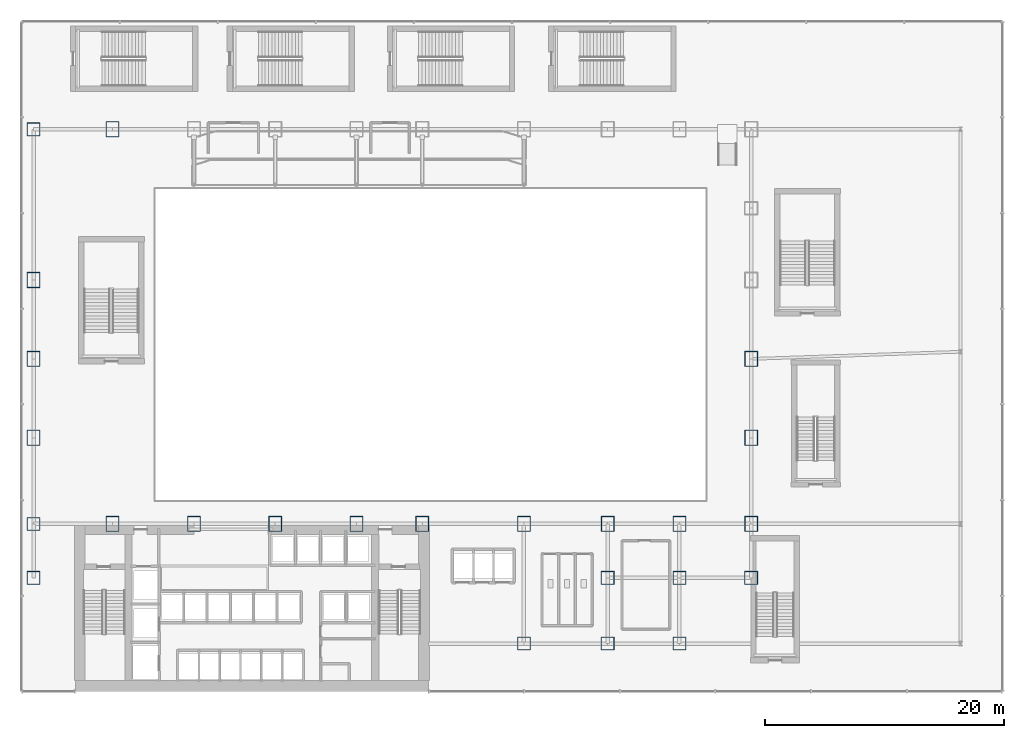
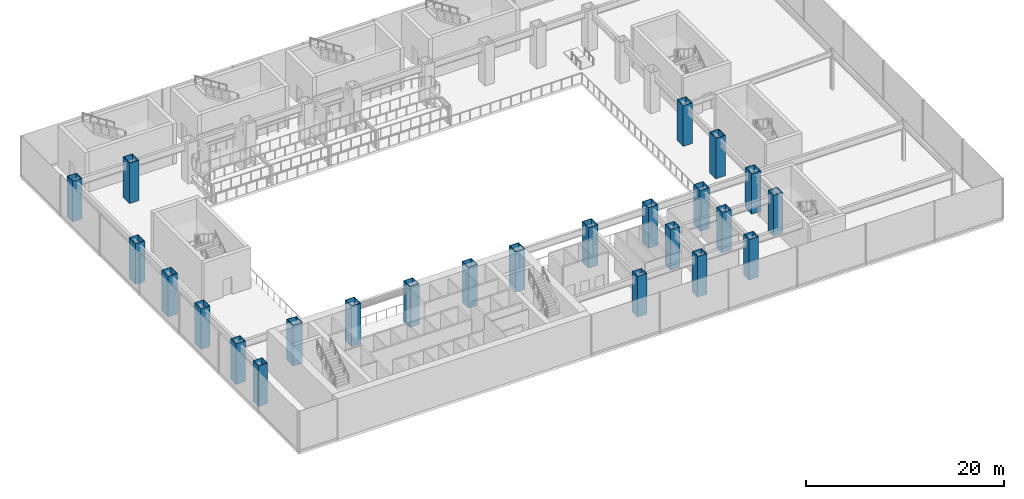
# One storey, part 1 of 39: 24 columns.
"""IFC4 building model written with IfcOpenShell, lengths in metres."""

from ifc_helpers import new_model, si_unit, derived_unit, direction, frame, origin, origin_2d, place, context, subcontext, project, spatial, hollow_rectangle, extrude, source, transform, mapped, material, material_profile, profile_set, type_object, element, save


model = new_model("IFC4")

# Units and contexts
model_context = context("Model", 3, precision=1e-05, world=origin(), true_north=direction((0.0, 1.0)))
body_context = subcontext(model_context, "Body", "Model", "MODEL_VIEW")
ifc_project = project(units=[si_unit("LENGTHUNIT", "METRE"), si_unit("AREAUNIT", "SQUARE_METRE"), si_unit("VOLUMEUNIT", "CUBIC_METRE"), si_unit("PLANEANGLEUNIT", "RADIAN"), si_unit("MASSUNIT", "GRAM", prefix="KILO"), derived_unit("THERMALTRANSMITTANCEUNIT", [(si_unit("POWERUNIT", "WATT"), 1), (si_unit("LENGTHUNIT", "METRE"), -2), (si_unit("THERMODYNAMICTEMPERATUREUNIT", "KELVIN"), -1)])], contexts=[model_context])

# Site, building, storey
site_placement = place(None, origin())
site = spatial("IfcSite", under=ifc_project, at=site_placement, CompositionType="ELEMENT")
building_placement = place(site_placement, origin())
building = spatial("IfcBuilding", under=site, at=building_placement, Name="Skarnbrae Concourse Arena and Tower", CompositionType="ELEMENT")
storey_placement = place(building_placement, frame((0.0, 0.0, 16.0)))
storey = spatial("IfcBuildingStorey", under=building, at=storey_placement, Name="L03", CompositionType="ELEMENT", Elevation=16.0)

# Columns
ifc_material = material(Name="Steel CSA G40.21 350W", Category="steel")
ifc_material_profile_1 = material_profile(ifc_material, hollow_rectangle(XDim=1.10009765625, YDim=1.10009765625, WallThickness=0.050048828125, at=origin_2d()), Name="BOX1100X1100X50")
ifc_profile_set_1 = profile_set([ifc_material_profile_1], Name="Steel CSA G40.21 350W")
column_type_1 = type_object("IfcColumnType", Name="COL-MEGA-BOX1100", PredefinedType="PILASTER", material=ifc_profile_set_1)
shared_shape_1 = source(origin(), body_context, "Body", "SweptSolid", [
    extrude(hollow_rectangle(XDim=1.10009765625, YDim=1.10009765625, WallThickness=0.050048828125, at=origin_2d()), origin(), (0.0, 0.0, 1.0), 5.0),
])
for number, where, z_axis, x_axis, name in (
    (1, (1.0, 9.5, 0.0), (0.0, 0.0, 1.0), (1.0, 0.0, 0.0), "L03 Podium mega-column MC-W0"),
    (2, (1.0, 14.0, 0.0), (0.0, 0.0, 1.0), (1.0, 0.0, 0.0), "L03 Podium mega-column MC-W1"),
    (3, (1.0, 47.0, 0.0), (0.0, 0.0, 1.0), (1.0, 0.0, 0.0), "L03 Podium mega-column MC-W6"),
    (4, (61.0, 9.5, 0.0), (0.0, 0.0, 1.0), (1.0, 0.0, 0.0), "L03 Podium mega-column MC-E0"),
    (5, (49.0, 9.5, 0.0), (0.0, 0.0, 1.0), (1.0, 0.0, 0.0), "L03 Podium mega-column PC-SE8"),
    (6, (55.0, 9.5, 0.0), (0.0, 0.0, 1.0), (1.0, 0.0, 0.0), "L03 Podium mega-column PC-SE9"),
    (7, (42.0, 4.0, 0.0), (0.0, 0.0, 1.0), (1.0, 0.0, 0.0), "L03 Podium mega-column PC-7B"),
    (8, (49.0, 4.0, 0.0), (0.0, 0.0, 1.0), (1.0, 0.0, 0.0), "L03 Podium mega-column PC-8B"),
    (9, (55.0, 4.0, 0.0), (0.0, 0.0, 1.0), (1.0, 0.0, 0.0), "L03 Podium mega-column PC-9B"),
):
    element("IfcColumn", number, at=place(storey_placement, frame(where, z_axis=z_axis, x_axis=x_axis)), inside=storey, type_object=column_type_1, Name=name, PredefinedType="PILASTER", context=body_context, shape_type="MappedRepresentation", body=[
        mapped(shared_shape_1, transform((0.0, 0.0, 0.0))),
    ])
ifc_material_profile_2 = material_profile(ifc_material, hollow_rectangle(XDim=1.10009765625, YDim=1.300048828125, WallThickness=0.054931640625, at=origin_2d()), Name="BOX1300X1100X55")
ifc_profile_set_2 = profile_set([ifc_material_profile_2], Name="Steel CSA G40.21 350W")
column_type_2 = type_object("IfcColumnType", Name="COL-MEGA-BOX1300", PredefinedType="PILASTER", material=ifc_profile_set_2)
shared_shape_2 = source(origin(), body_context, "Body", "SweptSolid", [
    extrude(hollow_rectangle(XDim=1.10009765625, YDim=1.300048828125, WallThickness=0.054931640625, at=origin_2d()), origin(), (0.0, 0.0, 1.0), 5.0),
])
for number, where, z_axis, x_axis, name in (
    (10, (1.0, 21.199951171875, 0.0), (0.0, 0.0, 1.0), (1.0, 0.0, 0.0), "L03 Podium mega-column MC-W2"),
    (11, (1.0, 27.800048828125, 0.0), (0.0, 0.0, 1.0), (1.0, 0.0, 0.0), "L03 Podium mega-column MC-W3"),
    (12, (1.0, 34.39990234375, 0.0), (0.0, 0.0, 1.0), (1.0, 0.0, 0.0), "L03 Podium mega-column MC-W4"),
    (13, (7.60009765625, 14.0, 0.0), (0.0, 0.0, 1.0), (1.0, 0.0, 0.0), "L03 Podium mega-column MC-S2"),
    (14, (14.39990234375, 14.0, 0.0), (0.0, 0.0, 1.0), (1.0, 0.0, 0.0), "L03 Podium mega-column MC-S3"),
    (15, (21.199951171875, 14.0, 0.0), (0.0, 0.0, 1.0), (1.0, 0.0, 0.0), "L03 Podium mega-column MC-S4"),
    (16, (28.0, 14.0, 0.0), (0.0, 0.0, 1.0), (1.0, 0.0, 0.0), "L03 Podium mega-column MC-S5"),
    (17, (33.5, 14.0, 0.0), (0.0, 0.0, 1.0), (1.0, 0.0, 0.0), "L03 Podium mega-column MC-S6"),
    (18, (42.0, 14.0, 0.0), (0.0, 0.0, 1.0), (1.0, 0.0, 0.0), "L03 Podium mega-column MC-S7"),
    (19, (49.0, 14.0, 0.0), (0.0, 0.0, 1.0), (1.0, 0.0, 0.0), "L03 Podium mega-column MC-S8"),
    (20, (55.0, 14.0, 0.0), (0.0, 0.0, 1.0), (1.0, 0.0, 0.0), "L03 Podium mega-column MC-S9"),
    (21, (61.0, 14.0, 0.0), (0.0, 0.0, 1.0), (1.0, 0.0, 0.0), "L03 Podium mega-column MC-S10"),
    (22, (7.60009765625, 47.0, 0.0), (0.0, 0.0, 1.0), (1.0, 0.0, 0.0), "L03 Podium mega-column MC-N2"),
    (23, (61.0, 21.199951171875, 0.0), (0.0, 0.0, 1.0), (1.0, 0.0, 0.0), "L03 Podium mega-column MC-E1"),
    (24, (61.0, 27.800048828125, 0.0), (0.0, 0.0, 1.0), (1.0, 0.0, 0.0), "L03 Podium mega-column MC-E2"),
):
    element("IfcColumn", number, at=place(storey_placement, frame(where, z_axis=z_axis, x_axis=x_axis)), inside=storey, type_object=column_type_2, Name=name, PredefinedType="PILASTER", context=body_context, shape_type="MappedRepresentation", body=[
        mapped(shared_shape_2, transform((0.0, 0.0, 0.0))),
    ])

save(model, "model.ifc")
